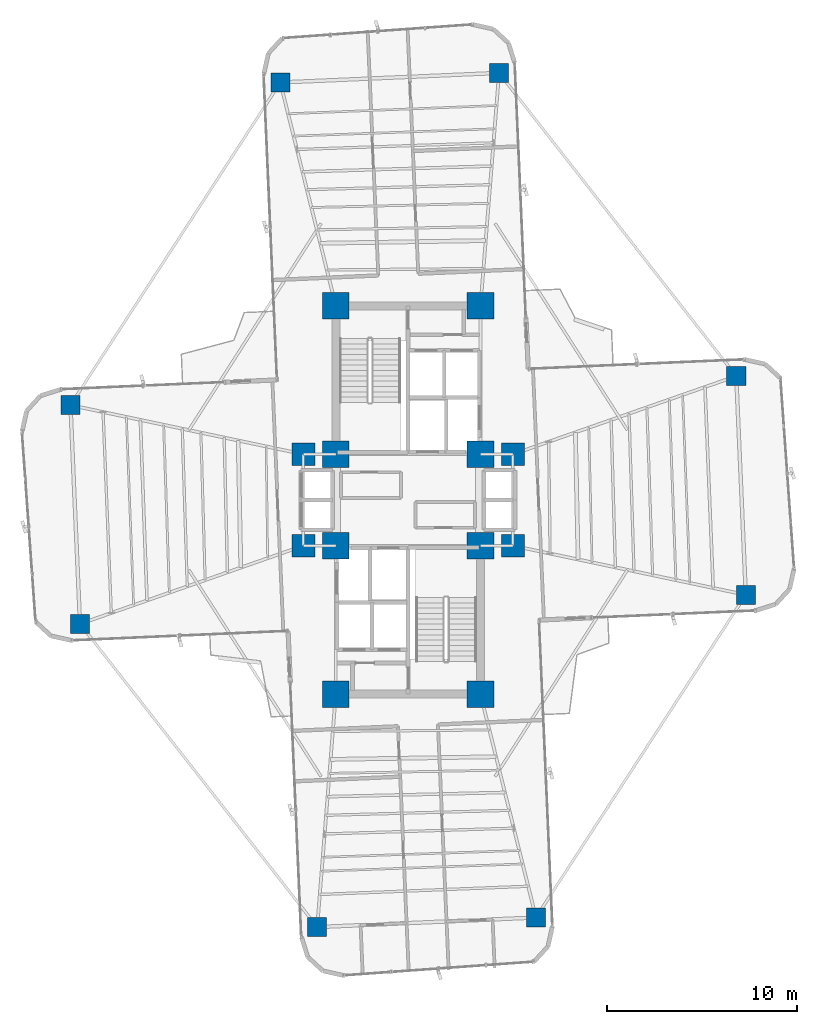
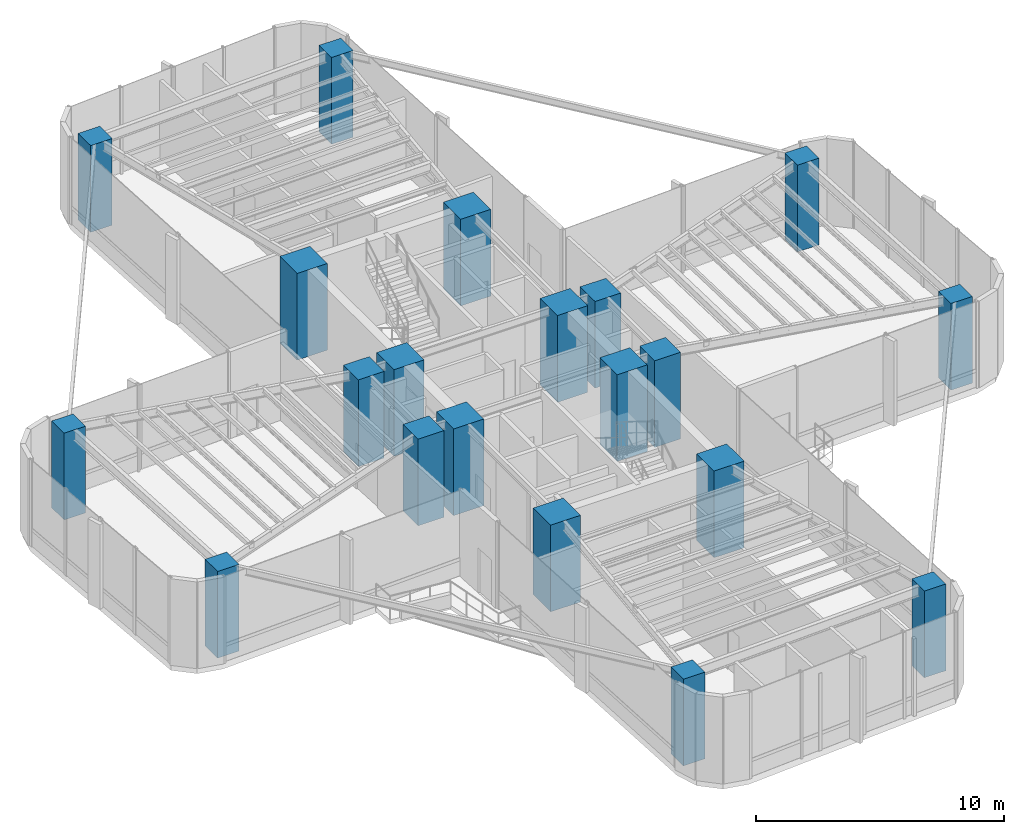
# One storey, part 1 of 21: 20 columns.
"""IFC4 building model written with IfcOpenShell, lengths in metres."""

import ifcopenshell
import ifcopenshell.guid

model = None  # the IFC model being written
_history = None  # IfcOwnerHistory: only IFC2X3 demands one
_inside = {}  # id of a spatial element -> (the spatial element, [elements in it])
_under = {}  # id of a project, library or spatial element -> (it, [spatial elements below it])
_declared = {}  # id of a project -> (the project, [libraries it declares])
_typed = {}  # id of a type object -> (the type object, [elements of that type])
_made_of = {}  # id of a material, layer set ... -> (it, [elements and type objects made of it])


def new_model(schema):
    """Start an empty IFC model of exactly this schema.

    Asked for "IFC4X3", IfcOpenShell would pick the latest addendum, in which some entities
    have other attributes; the version numbers below select the first issue.
    IFC2X3 requires an IfcOwnerHistory on every rooted entity: one is made here for all.
    """
    global model, _history
    if schema == "IFC4X3":
        model = ifcopenshell.file(schema_version=(4, 3, 0, 0))
    else:
        model = ifcopenshell.file(schema=schema)
    _inside.clear()
    _under.clear()
    _declared.clear()
    _typed.clear()
    _made_of.clear()
    _history = None
    if model.schema == "IFC2X3":
        org = make("IfcOrganization", Name="unknown")
        user = make(
            "IfcPersonAndOrganization",
            ThePerson=make("IfcPerson", FamilyName="unknown"),
            TheOrganization=org,
        )
        app = make(
            "IfcApplication",
            ApplicationDeveloper=org,
            Version="unknown",
            ApplicationFullName="unknown",
            ApplicationIdentifier="unknown",
        )
        _history = make(
            "IfcOwnerHistory",
            OwningUser=user,
            OwningApplication=app,
            ChangeAction="ADDED",
            CreationDate=0,
        )
    return model


def make(cls, **values):
    """One entity of the class cls with the attributes given. An attribute that is None is left unset."""
    return model.create_entity(
        cls, **{name: value for name, value in values.items() if value is not None}
    )


def rooted(cls, **values):
    """An entity with a GlobalId (a new one), such as an element, a storey or a relation."""
    return make(cls, GlobalId=ifcopenshell.guid.new(), OwnerHistory=_history, **values)


def si_unit(unit_type, name, prefix=None):
    """IfcSIUnit, for example si_unit("LENGTHUNIT", "METRE", prefix="MILLI")."""
    return make("IfcSIUnit", UnitType=unit_type, Prefix=prefix, Name=name)


def assignment(units):
    """IfcUnitAssignment: the units of a project."""
    return None if units is None else make("IfcUnitAssignment", Units=units)


def point(xyz):
    """IfcCartesianPoint."""
    return None if xyz is None else make("IfcCartesianPoint", Coordinates=xyz)


def direction(xyz):
    """IfcDirection."""
    return None if xyz is None else make("IfcDirection", DirectionRatios=xyz)


def frame(location, z_axis=None, x_axis=None):
    """IfcAxis2Placement3D, a coordinate frame: its origin and axes. An axis left out is left unset."""
    return make(
        "IfcAxis2Placement3D",
        Location=point(location),
        Axis=direction(z_axis),
        RefDirection=direction(x_axis),
    )


def frame_2d(location, x_axis=None):
    """IfcAxis2Placement2D, a coordinate frame in the plane: its origin and x axis."""
    return make(
        "IfcAxis2Placement2D", Location=point(location), RefDirection=direction(x_axis)
    )


def origin():
    """The frame at (0, 0, 0) with its axes left unset."""
    return frame((0.0, 0.0, 0.0))


def origin_2d():
    """The frame at (0, 0) in the plane with its x axis left unset."""
    return frame_2d((0.0, 0.0))


def place(relative_to, where):
    """IfcLocalPlacement: puts the frame where relative to a parent placement (None: the world)."""
    return make(
        "IfcLocalPlacement", PlacementRelTo=relative_to, RelativePlacement=where
    )


def context(
    kind, dimensions, precision=None, world=None, true_north=None, identifier=None
):
    """IfcGeometricRepresentationContext, for example the 3D "Model" context."""
    return make(
        "IfcGeometricRepresentationContext",
        ContextIdentifier=identifier,
        ContextType=kind,
        CoordinateSpaceDimension=dimensions,
        Precision=precision,
        WorldCoordinateSystem=world,
        TrueNorth=true_north,
    )


def subcontext(parent, identifier, kind, view, scale=None):
    """IfcGeometricRepresentationSubContext, for example "Body" below "Model"."""
    return make(
        "IfcGeometricRepresentationSubContext",
        ContextIdentifier=identifier,
        ContextType=kind,
        ParentContext=parent,
        TargetScale=scale,
        TargetView=view,
    )


def project(units=None, contexts=None):
    """IfcProject with its units and contexts."""
    return rooted(
        "IfcProject",
        Name="project",
        RepresentationContexts=contexts,
        UnitsInContext=assignment(units),
    )


def spatial(cls, under=None, at=None, **own):
    """A site, building, storey or space (cls), placed at a placement, below another one or the project."""
    s = rooted(cls, ObjectPlacement=at, **own)
    if under is not None:
        _under.setdefault(under.id(), (under, []))[1].append(s)
    return s


def profile(cls, at=None, kind="AREA", **sizes):
    """A parametric profile (cls). Its sizes go by their IFC names, for example OverallWidth=200.0."""
    return make(cls, ProfileType=kind, Position=at, **sizes)


def rectangle(**sizes):
    """IfcRectangleProfileDef."""
    return profile("IfcRectangleProfileDef", **sizes)


def extrude(swept, where, along, depth):
    """IfcExtrudedAreaSolid: the profile swept, set in the frame where, extruded along a direction by depth."""
    return make(
        "IfcExtrudedAreaSolid",
        SweptArea=swept,
        Position=where,
        ExtrudedDirection=direction(along),
        Depth=depth,
    )


def shape(context_of_items, identifier, shape_type, items):
    """IfcShapeRepresentation: the items that make up one representation, for example the "Body"."""
    return make(
        "IfcShapeRepresentation",
        ContextOfItems=context_of_items,
        RepresentationIdentifier=identifier,
        RepresentationType=shape_type,
        Items=items,
    )


def source(mapping_origin, context_of_items, identifier, shape_type, items):
    """IfcRepresentationMap: a shape defined once, which mapped items show again and again."""
    return make(
        "IfcRepresentationMap",
        MappingOrigin=mapping_origin,
        MappedRepresentation=shape(context_of_items, identifier, shape_type, items),
    )


def transform(
    local_origin,
    x_axis=None,
    y_axis=None,
    z_axis=None,
    scale=None,
    scale2=None,
    scale3=None,
    uniform=True,
):
    """IfcCartesianTransformationOperator3D, or its non-uniform kind. x_axis, y_axis, z_axis: its Axis1, 2, 3."""
    if uniform:
        return make(
            "IfcCartesianTransformationOperator3D",
            Axis1=direction(x_axis),
            Axis2=direction(y_axis),
            LocalOrigin=point(local_origin),
            Scale=scale,
            Axis3=direction(z_axis),
        )
    return make(
        "IfcCartesianTransformationOperator3DnonUniform",
        Axis1=direction(x_axis),
        Axis2=direction(y_axis),
        LocalOrigin=point(local_origin),
        Scale=scale,
        Axis3=direction(z_axis),
        Scale2=scale2,
        Scale3=scale3,
    )


def mapped(mapping_source, mapping_target):
    """IfcMappedItem: shows the shape of a source again, moved by a transform."""
    return make(
        "IfcMappedItem", MappingSource=mapping_source, MappingTarget=mapping_target
    )


def material(Name=None, Category=None):
    """IfcMaterial."""
    return make("IfcMaterial", Name=Name, Category=Category)


def material_profile(
    of_material, cross_section, Name=None, Category=None, Priority=None
):
    """IfcMaterialProfile: a cross section and its material."""
    return make(
        "IfcMaterialProfile",
        Name=Name,
        Material=of_material,
        Profile=cross_section,
        Priority=Priority,
        Category=Category,
    )


def profile_set(profiles, Name=None, composite=None):
    """IfcMaterialProfileSet."""
    return make(
        "IfcMaterialProfileSet",
        Name=Name,
        MaterialProfiles=profiles,
        CompositeProfile=composite,
    )


def made_of(thing, what):
    """Note that an element or type object is made of a material, layer set ...; save() writes the relation."""
    if what is not None:
        _made_of.setdefault(what.id(), (what, []))[1].append(thing)
    return thing


def type_object(cls, material=None, **own):
    """A type object (cls), such as IfcWallType, which elements share."""
    return made_of(rooted(cls, **own), material)


def element(
    cls,
    number,
    at=None,
    inside=None,
    cuts=None,
    type_object=None,
    material=None,
    context=None,
    identifier="Body",
    shape_type=None,
    held_by="IfcProductDefinitionShape",
    body=None,
    shapes=None,
    **own,
):
    """One element of the class cls, such as IfcWall. Its Tag is "e" and its number.

    at: its placement. inside: the storey or other place that contains it. cuts: it is an
    opening in that element (IfcRelVoidsElement). A single representation is given by context,
    identifier, shape_type and body (its items); several are given by shapes. held_by: the class
    of the entity that holds the representations. save() writes the other relations.
    """
    e = rooted(cls, Tag="e%d" % number, ObjectPlacement=at, **own)
    if body is not None:
        shapes = [shape(context, identifier, shape_type, body)]
    if shapes is not None:
        e.Representation = make(held_by, Representations=shapes)
    if inside is not None:
        _inside.setdefault(inside.id(), (inside, []))[1].append(e)
    if cuts is not None:
        rooted(
            "IfcRelVoidsElement", RelatingBuildingElement=cuts, RelatedOpeningElement=e
        )
    if type_object is not None:
        _typed.setdefault(type_object.id(), (type_object, []))[1].append(e)
    return made_of(e, material)


def aggregate(whole, parts):
    """IfcRelAggregates: a whole, such as a stair, and the parts it consists of."""
    return rooted("IfcRelAggregates", RelatingObject=whole, RelatedObjects=parts)


def save(model, path):
    """Write the relations noted so far, then the file.

    IfcRelAggregates (storeys below a building ...), IfcRelContainedInSpatialStructure (elements
    in a storey), IfcRelDefinesByType, IfcRelAssociatesMaterial and IfcRelDeclares: one each for
    every whole, place, type object, material and project.
    """
    for whole, parts in _under.values():
        aggregate(whole, parts)
    for where, things in _inside.values():
        rooted(
            "IfcRelContainedInSpatialStructure",
            RelatedElements=things,
            RelatingStructure=where,
        )
    for kind, things in _typed.values():
        rooted("IfcRelDefinesByType", RelatedObjects=things, RelatingType=kind)
    for what, things in _made_of.values():
        rooted("IfcRelAssociatesMaterial", RelatedObjects=things, RelatingMaterial=what)
    for by, libraries in _declared.values():
        rooted("IfcRelDeclares", RelatingContext=by, RelatedDefinitions=libraries)
    model.write(path)


model = new_model("IFC4")

# Units and contexts
model_context = context("Model", 3, precision=1e-05, world=origin(), true_north=direction((0.0, 1.0)))
body_context = subcontext(model_context, "Body", "Model", "MODEL_VIEW")
ifc_project = project(units=[si_unit("LENGTHUNIT", "METRE"), si_unit("AREAUNIT", "SQUARE_METRE"), si_unit("VOLUMEUNIT", "CUBIC_METRE"), si_unit("PLANEANGLEUNIT", "RADIAN"), si_unit("MASSUNIT", "GRAM", prefix="KILO")], contexts=[model_context])

# Site, building, storey
site_placement = place(None, origin())
site = spatial("IfcSite", under=ifc_project, at=site_placement, CompositionType="ELEMENT")
building_placement = place(site_placement, origin())
building = spatial("IfcBuilding", under=site, at=building_placement, Name="Sahyath Konkavel Grand Hotel", CompositionType="ELEMENT")
storey_placement = place(building_placement, frame((0.0, 0.0, 79.0)))
storey = spatial("IfcBuildingStorey", under=building, at=storey_placement, Name="L21", CompositionType="ELEMENT", Elevation=79.0)

# Columns
ifc_material_1 = material(Name="Concrete C70/85", Category="concrete")
ifc_material_profile_1 = material_profile(ifc_material_1, rectangle(XDim=1.39990234375, YDim=1.39990234375, at=origin_2d()), Name="RC 1400x1400")
ifc_profile_set_1 = profile_set([ifc_material_profile_1], Name="Concrete C70/85")
column_type_1 = type_object("IfcColumnType", Name="COL-RC1400", PredefinedType="COLUMN", material=ifc_profile_set_1)
shared_shape_1 = source(origin(), body_context, "Body", "SweptSolid", [
    extrude(rectangle(XDim=1.39990234375, YDim=1.39990234375, at=origin_2d()), origin(), (0.0, 0.0, 1.0), 4.260009765625),
])
for number, where, z_axis, x_axis, name in (
    (1, (-3.800048828125, 2.39990234375, 0.0), (0.0, 0.0, 1.0), (1.0, 0.0, 0.0), "L21 Core Boundary Column NC-SW"),
    (2, (3.800048828125, 2.39990234375, 0.0), (0.0, 0.0, 1.0), (1.0, 0.0, 0.0), "L21 Core Boundary Column NC-SE"),
    (3, (-3.800048828125, 10.199951171875, 0.0), (0.0, 0.0, 1.0), (1.0, 0.0, 0.0), "L21 Core Boundary Column NC-NW"),
    (4, (3.800048828125, 10.199951171875, 0.0), (0.0, 0.0, 1.0), (1.0, 0.0, 0.0), "L21 Core Boundary Column NC-NE"),
    (5, (-3.800048828125, -2.39990234375, 0.0), (0.0, 0.0, 1.0), (1.0, 0.0, 0.0), "L21 Core Boundary Column SC-NW"),
    (6, (3.800048828125, -2.39990234375, 0.0), (0.0, 0.0, 1.0), (1.0, 0.0, 0.0), "L21 Core Boundary Column SC-NE"),
    (7, (-3.800048828125, -10.199951171875, 0.0), (0.0, 0.0, 1.0), (1.0, 0.0, 0.0), "L21 Core Boundary Column SC-SW"),
    (8, (3.800048828125, -10.199951171875, 0.0), (0.0, 0.0, 1.0), (1.0, 0.0, 0.0), "L21 Core Boundary Column SC-SE"),
):
    element("IfcColumn", number, at=place(storey_placement, frame(where, z_axis=z_axis, x_axis=x_axis)), inside=storey, type_object=column_type_1, Name=name, PredefinedType="COLUMN", context=body_context, shape_type="MappedRepresentation", body=[
        mapped(shared_shape_1, transform((0.0, 0.0, 0.0), scale=1.0)),
    ])
ifc_material_2 = material(Name="Concrete C50/60", Category="concrete")
ifc_material_profile_2 = material_profile(ifc_material_2, rectangle(XDim=1.199951171875, YDim=1.199951171875, at=origin_2d()), Name="RC 1200x1200")
ifc_profile_set_2 = profile_set([ifc_material_profile_2], Name="Concrete C50/60")
column_type_2 = type_object("IfcColumnType", Name="COL-RC1200", PredefinedType="COLUMN", material=ifc_profile_set_2)
shared_shape_2 = source(origin(), body_context, "Body", "SweptSolid", [
    extrude(rectangle(XDim=1.199951171875, YDim=1.199951171875, at=origin_2d()), origin(), (0.0, 0.0, 1.0), 4.260009765625),
])
for number, where, z_axis, x_axis, name in (
    (9, (5.5, 2.39990234375, 0.0), (0.0, 0.0, 1.0), (1.0, 0.0, 0.0), "L21 Central Spine Column HB-NE"),
    (10, (-5.5, 2.39990234375, 0.0), (0.0, 0.0, 1.0), (1.0, 0.0, 0.0), "L21 Central Spine Column HB-NW"),
    (11, (5.5, -2.39990234375, 0.0), (0.0, 0.0, 1.0), (1.0, 0.0, 0.0), "L21 Central Spine Column HB-SE"),
    (12, (-5.5, -2.39990234375, 0.0), (0.0, 0.0, 1.0), (1.0, 0.0, 0.0), "L21 Central Spine Column HB-SW"),
):
    element("IfcColumn", number, at=place(storey_placement, frame(where, z_axis=z_axis, x_axis=x_axis)), inside=storey, type_object=column_type_2, Name=name, PredefinedType="COLUMN", context=body_context, shape_type="MappedRepresentation", body=[
        mapped(shared_shape_2, transform((0.0, 0.0, 0.0), scale=1.0)),
    ])
ifc_material_profile_3 = material_profile(ifc_material_2, rectangle(XDim=1.0, YDim=1.0, at=origin_2d()), Name="RC 1000x1000")
ifc_profile_set_3 = profile_set([ifc_material_profile_3], Name="Concrete C50/60")
column_type_3 = type_object("IfcColumnType", Name="COL-RC1000", PredefinedType="COLUMN", material=ifc_profile_set_3)
shared_shape_3 = source(origin(), body_context, "Body", "SweptSolid", [
    extrude(rectangle(XDim=1.0, YDim=1.0, at=origin_2d()), origin(), (0.0, 0.0, 1.0), 4.260009765625),
])
for number, where, z_axis, x_axis, name in (
    (13, (17.734130859375, -4.981201171875, 0.0), (0.0, 0.0, 1.0), (1.0, 0.0, 0.0), "L21 Cruciform Wing Column WC-EA"),
    (14, (17.232421875, 6.5078125, 0.0), (0.0, 0.0, 1.0), (1.0, 0.0, 0.0), "L21 Cruciform Wing Column WC-EB"),
    (15, (4.776123046875, 22.4296875, 0.0), (0.0, 0.0, 1.0), (1.0, 0.0, 0.0), "L21 Cruciform Wing Column WC-NA"),
    (16, (-6.712890625, 21.927978515625, 0.0), (0.0, 0.0, 1.0), (1.0, 0.0, 0.0), "L21 Cruciform Wing Column WC-NB"),
    (17, (-17.734130859375, 4.981201171875, 0.0), (0.0, 0.0, 1.0), (1.0, 0.0, 0.0), "L21 Cruciform Wing Column WC-WA"),
    (18, (-17.232421875, -6.5078125, 0.0), (0.0, 0.0, 1.0), (1.0, 0.0, 0.0), "L21 Cruciform Wing Column WC-WB"),
    (19, (-4.776123046875, -22.4296875, 0.0), (0.0, 0.0, 1.0), (1.0, 0.0, 0.0), "L21 Cruciform Wing Column WC-SA"),
    (20, (6.712890625, -21.927978515625, 0.0), (0.0, 0.0, 1.0), (1.0, 0.0, 0.0), "L21 Cruciform Wing Column WC-SB"),
):
    element("IfcColumn", number, at=place(storey_placement, frame(where, z_axis=z_axis, x_axis=x_axis)), inside=storey, type_object=column_type_3, Name=name, PredefinedType="COLUMN", context=body_context, shape_type="MappedRepresentation", body=[
        mapped(shared_shape_3, transform((0.0, 0.0, 0.0), scale=1.0)),
    ])

save(model, "model.ifc")
